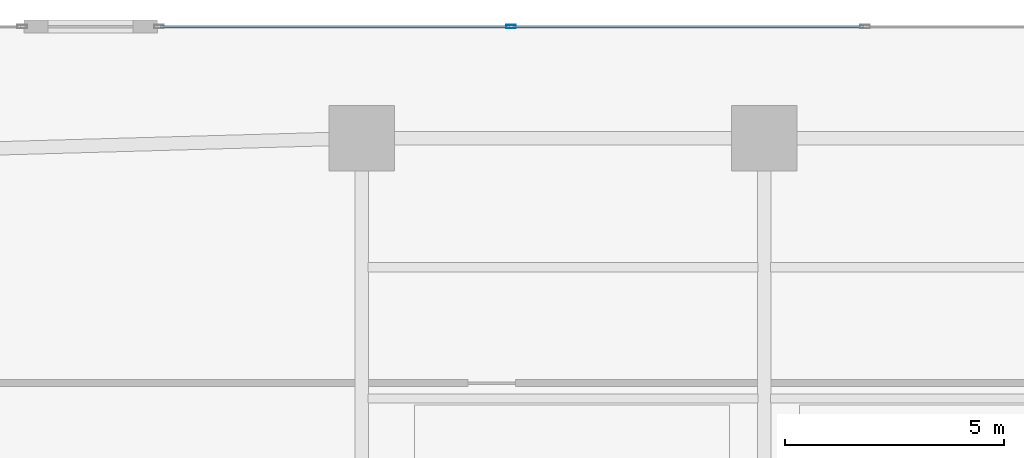
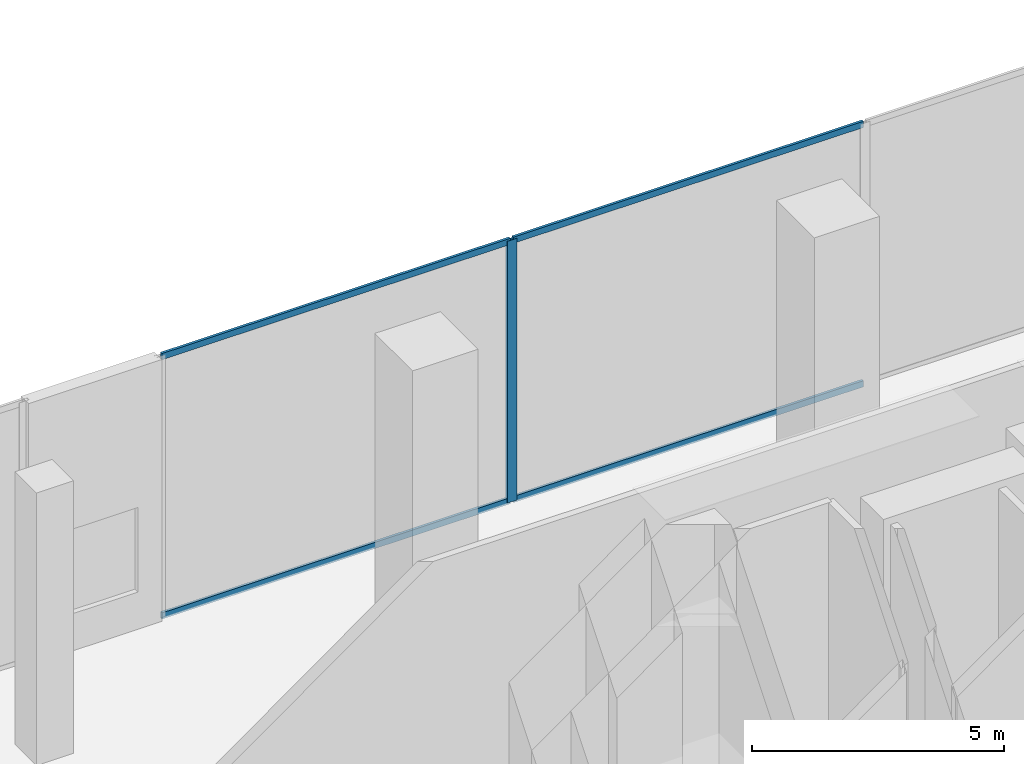
# One storey, part 15 of 30: 5 members, 1 element without a shape of its own.
"""IFC4 building model written with IfcOpenShell, lengths in metres."""

import ifcopenshell
import ifcopenshell.guid

model = None  # the IFC model being written
_history = None  # IfcOwnerHistory: only IFC2X3 demands one
_inside = {}  # id of a spatial element -> (the spatial element, [elements in it])
_under = {}  # id of a project, library or spatial element -> (it, [spatial elements below it])
_declared = {}  # id of a project -> (the project, [libraries it declares])
_typed = {}  # id of a type object -> (the type object, [elements of that type])
_made_of = {}  # id of a material, layer set ... -> (it, [elements and type objects made of it])


def new_model(schema):
    """Start an empty IFC model of exactly this schema.

    Asked for "IFC4X3", IfcOpenShell would pick the latest addendum, in which some entities
    have other attributes; the version numbers below select the first issue.
    IFC2X3 requires an IfcOwnerHistory on every rooted entity: one is made here for all.
    """
    global model, _history
    if schema == "IFC4X3":
        model = ifcopenshell.file(schema_version=(4, 3, 0, 0))
    else:
        model = ifcopenshell.file(schema=schema)
    _inside.clear()
    _under.clear()
    _declared.clear()
    _typed.clear()
    _made_of.clear()
    _history = None
    if model.schema == "IFC2X3":
        org = make("IfcOrganization", Name="unknown")
        user = make(
            "IfcPersonAndOrganization",
            ThePerson=make("IfcPerson", FamilyName="unknown"),
            TheOrganization=org,
        )
        app = make(
            "IfcApplication",
            ApplicationDeveloper=org,
            Version="unknown",
            ApplicationFullName="unknown",
            ApplicationIdentifier="unknown",
        )
        _history = make(
            "IfcOwnerHistory",
            OwningUser=user,
            OwningApplication=app,
            ChangeAction="ADDED",
            CreationDate=0,
        )
    return model


def make(cls, **values):
    """One entity of the class cls with the attributes given. An attribute that is None is left unset."""
    return model.create_entity(
        cls, **{name: value for name, value in values.items() if value is not None}
    )


def rooted(cls, **values):
    """An entity with a GlobalId (a new one), such as an element, a storey or a relation."""
    return make(cls, GlobalId=ifcopenshell.guid.new(), OwnerHistory=_history, **values)


def si_unit(unit_type, name, prefix=None):
    """IfcSIUnit, for example si_unit("LENGTHUNIT", "METRE", prefix="MILLI")."""
    return make("IfcSIUnit", UnitType=unit_type, Prefix=prefix, Name=name)


def assignment(units):
    """IfcUnitAssignment: the units of a project."""
    return None if units is None else make("IfcUnitAssignment", Units=units)


def point(xyz):
    """IfcCartesianPoint."""
    return None if xyz is None else make("IfcCartesianPoint", Coordinates=xyz)


def direction(xyz):
    """IfcDirection."""
    return None if xyz is None else make("IfcDirection", DirectionRatios=xyz)


def frame(location, z_axis=None, x_axis=None):
    """IfcAxis2Placement3D, a coordinate frame: its origin and axes. An axis left out is left unset."""
    return make(
        "IfcAxis2Placement3D",
        Location=point(location),
        Axis=direction(z_axis),
        RefDirection=direction(x_axis),
    )


def frame_2d(location, x_axis=None):
    """IfcAxis2Placement2D, a coordinate frame in the plane: its origin and x axis."""
    return make(
        "IfcAxis2Placement2D", Location=point(location), RefDirection=direction(x_axis)
    )


def origin():
    """The frame at (0, 0, 0) with its axes left unset."""
    return frame((0.0, 0.0, 0.0))


def origin_2d():
    """The frame at (0, 0) in the plane with its x axis left unset."""
    return frame_2d((0.0, 0.0))


def place(relative_to, where):
    """IfcLocalPlacement: puts the frame where relative to a parent placement (None: the world)."""
    return make(
        "IfcLocalPlacement", PlacementRelTo=relative_to, RelativePlacement=where
    )


def context(
    kind, dimensions, precision=None, world=None, true_north=None, identifier=None
):
    """IfcGeometricRepresentationContext, for example the 3D "Model" context."""
    return make(
        "IfcGeometricRepresentationContext",
        ContextIdentifier=identifier,
        ContextType=kind,
        CoordinateSpaceDimension=dimensions,
        Precision=precision,
        WorldCoordinateSystem=world,
        TrueNorth=true_north,
    )


def subcontext(parent, identifier, kind, view, scale=None):
    """IfcGeometricRepresentationSubContext, for example "Body" below "Model"."""
    return make(
        "IfcGeometricRepresentationSubContext",
        ContextIdentifier=identifier,
        ContextType=kind,
        ParentContext=parent,
        TargetScale=scale,
        TargetView=view,
    )


def project(units=None, contexts=None):
    """IfcProject with its units and contexts."""
    return rooted(
        "IfcProject",
        Name="project",
        RepresentationContexts=contexts,
        UnitsInContext=assignment(units),
    )


def spatial(cls, under=None, at=None, **own):
    """A site, building, storey or space (cls), placed at a placement, below another one or the project."""
    s = rooted(cls, ObjectPlacement=at, **own)
    if under is not None:
        _under.setdefault(under.id(), (under, []))[1].append(s)
    return s


def profile(cls, at=None, kind="AREA", **sizes):
    """A parametric profile (cls). Its sizes go by their IFC names, for example OverallWidth=200.0."""
    return make(cls, ProfileType=kind, Position=at, **sizes)


def hollow_rectangle(**sizes):
    """IfcRectangleHollowProfileDef."""
    return profile("IfcRectangleHollowProfileDef", **sizes)


def extrude(swept, where, along, depth):
    """IfcExtrudedAreaSolid: the profile swept, set in the frame where, extruded along a direction by depth."""
    return make(
        "IfcExtrudedAreaSolid",
        SweptArea=swept,
        Position=where,
        ExtrudedDirection=direction(along),
        Depth=depth,
    )


def shape(context_of_items, identifier, shape_type, items):
    """IfcShapeRepresentation: the items that make up one representation, for example the "Body"."""
    return make(
        "IfcShapeRepresentation",
        ContextOfItems=context_of_items,
        RepresentationIdentifier=identifier,
        RepresentationType=shape_type,
        Items=items,
    )


def material(Name=None, Category=None):
    """IfcMaterial."""
    return make("IfcMaterial", Name=Name, Category=Category)


def layer(
    of_material, thickness, ventilated=None, Name=None, Category=None, Priority=None
):
    """IfcMaterialLayer: one layer of a wall or slab, of a material (None: an air gap)."""
    return make(
        "IfcMaterialLayer",
        Material=of_material,
        LayerThickness=thickness,
        IsVentilated=ventilated,
        Name=Name,
        Category=Category,
        Priority=Priority,
    )


def layer_set(layers, Name=None):
    """IfcMaterialLayerSet."""
    return make("IfcMaterialLayerSet", MaterialLayers=layers, LayerSetName=Name)


def material_profile(
    of_material, cross_section, Name=None, Category=None, Priority=None
):
    """IfcMaterialProfile: a cross section and its material."""
    return make(
        "IfcMaterialProfile",
        Name=Name,
        Material=of_material,
        Profile=cross_section,
        Priority=Priority,
        Category=Category,
    )


def profile_set(profiles, Name=None, composite=None):
    """IfcMaterialProfileSet."""
    return make(
        "IfcMaterialProfileSet",
        Name=Name,
        MaterialProfiles=profiles,
        CompositeProfile=composite,
    )


def made_of(thing, what):
    """Note that an element or type object is made of a material, layer set ...; save() writes the relation."""
    if what is not None:
        _made_of.setdefault(what.id(), (what, []))[1].append(thing)
    return thing


def type_object(cls, material=None, **own):
    """A type object (cls), such as IfcWallType, which elements share."""
    return made_of(rooted(cls, **own), material)


def element(
    cls,
    number,
    at=None,
    inside=None,
    cuts=None,
    type_object=None,
    material=None,
    context=None,
    identifier="Body",
    shape_type=None,
    held_by="IfcProductDefinitionShape",
    body=None,
    shapes=None,
    **own,
):
    """One element of the class cls, such as IfcWall. Its Tag is "e" and its number.

    at: its placement. inside: the storey or other place that contains it. cuts: it is an
    opening in that element (IfcRelVoidsElement). A single representation is given by context,
    identifier, shape_type and body (its items); several are given by shapes. held_by: the class
    of the entity that holds the representations. save() writes the other relations.
    """
    e = rooted(cls, Tag="e%d" % number, ObjectPlacement=at, **own)
    if body is not None:
        shapes = [shape(context, identifier, shape_type, body)]
    if shapes is not None:
        e.Representation = make(held_by, Representations=shapes)
    if inside is not None:
        _inside.setdefault(inside.id(), (inside, []))[1].append(e)
    if cuts is not None:
        rooted(
            "IfcRelVoidsElement", RelatingBuildingElement=cuts, RelatedOpeningElement=e
        )
    if type_object is not None:
        _typed.setdefault(type_object.id(), (type_object, []))[1].append(e)
    return made_of(e, material)


def aggregate(whole, parts):
    """IfcRelAggregates: a whole, such as a stair, and the parts it consists of."""
    return rooted("IfcRelAggregates", RelatingObject=whole, RelatedObjects=parts)


def save(model, path):
    """Write the relations noted so far, then the file.

    IfcRelAggregates (storeys below a building ...), IfcRelContainedInSpatialStructure (elements
    in a storey), IfcRelDefinesByType, IfcRelAssociatesMaterial and IfcRelDeclares: one each for
    every whole, place, type object, material and project.
    """
    for whole, parts in _under.values():
        aggregate(whole, parts)
    for where, things in _inside.values():
        rooted(
            "IfcRelContainedInSpatialStructure",
            RelatedElements=things,
            RelatingStructure=where,
        )
    for kind, things in _typed.values():
        rooted("IfcRelDefinesByType", RelatedObjects=things, RelatingType=kind)
    for what, things in _made_of.values():
        rooted("IfcRelAssociatesMaterial", RelatedObjects=things, RelatingMaterial=what)
    for by, libraries in _declared.values():
        rooted("IfcRelDeclares", RelatingContext=by, RelatedDefinitions=libraries)
    model.write(path)


model = new_model("IFC4")

# Units and contexts
model_context = context("Model", 3, precision=1e-05, world=origin(), true_north=direction((0.0, 1.0)))
body_context = subcontext(model_context, "Body", "Model", "MODEL_VIEW")
ifc_project = project(units=[si_unit("LENGTHUNIT", "METRE"), si_unit("AREAUNIT", "SQUARE_METRE"), si_unit("VOLUMEUNIT", "CUBIC_METRE"), si_unit("PLANEANGLEUNIT", "RADIAN"), si_unit("MASSUNIT", "GRAM", prefix="KILO")], contexts=[model_context])

# Site, building, storey
site_placement = place(None, origin())
site = spatial("IfcSite", under=ifc_project, at=site_placement, CompositionType="ELEMENT")
building_placement = place(site_placement, origin())
building = spatial("IfcBuilding", under=site, at=building_placement, Name="Zuhayl Quay Hotel", CompositionType="ELEMENT")
storey_placement = place(building_placement, frame((0.0, 0.0, 11.39990234375)))
storey = spatial("IfcBuildingStorey", under=building, at=storey_placement, Name="L02", CompositionType="ELEMENT", Elevation=11.39990234375)

# Curtain wall, members
ifc_material_1 = material(Name="Anodised Aluminium 6063-T6", Category="aluminium")
ifc_layer = layer(ifc_material_1, 0.199951171875, Name="Anodised Aluminium 6063-T6", Category="aluminium")
ifc_layer_set = layer_set([ifc_layer], Name="Anodised Aluminium 6063-T6")
curtain_wall_type = type_object("IfcCurtainWallType", Name="CW_SYS_POD", PredefinedType="USERDEFINED", material=ifc_layer_set)
curtain_wall_placement = place(storey_placement, origin())
curtain_wall = element("IfcCurtainWall", 1, at=curtain_wall_placement, inside=storey, type_object=curtain_wall_type, Name="L02 Curtain Wall ENV_L02_E05_CW3", ObjectType="UNITISED CURTAIN WALL", PredefinedType="USERDEFINED")
ifc_material_2 = material(Name="Black-anodised aluminium 6063-T6", Category="aluminium")
ifc_material_profile_1 = material_profile(ifc_material_2, hollow_rectangle(XDim=0.074951171875, YDim=0.219970703125, WallThickness=0.00390625, at=origin_2d()), Name="ALU220X75")
ifc_profile_set_1 = profile_set([ifc_material_profile_1], Name="Black-anodised aluminium 6063-T6")
member_type_1 = type_object("IfcMemberType", Name="MB_CW_MUL_220", PredefinedType="MULLION", material=ifc_profile_set_1)
member_1_placement = place(storey_placement, frame((-10.38671875, 25.0, 0.0), z_axis=(0.0, 0.0, 1.0), x_axis=(0.0, 1.0, 0.0)))
member_1 = element("IfcMember", 2, at=member_1_placement, type_object=member_type_1, Name="CW-POD mullion 2", PredefinedType="MULLION", context=body_context, shape_type="SweptSolid", body=[
    extrude(hollow_rectangle(XDim=0.074951171875, YDim=0.219970703125, WallThickness=0.00390625, at=origin_2d()), origin(), (0.0, 0.0, 1.0), 6.340087890625),
])
ifc_material_profile_2 = material_profile(ifc_material_2, hollow_rectangle(XDim=0.06005859375, YDim=0.14990234375, WallThickness=0.00341796875, at=origin_2d()), Name="ALU150X60")
ifc_profile_set_2 = profile_set([ifc_material_profile_2], Name="Black-anodised aluminium 6063-T6")
member_type_2 = type_object("IfcMemberType", Name="MB_CW_TRN_150", PredefinedType="USERDEFINED", material=ifc_profile_set_2)
member_2_placement = place(storey_placement, frame((-18.39990234375, 25.0, 0.030029296875), z_axis=(1.0, 0.0, 0.0), x_axis=(0.0, 1.0, 0.0)))
member_2 = element("IfcMember", 3, at=member_2_placement, type_object=member_type_2, Name="CW-POD transom 1.1", ObjectType="TRANSOM", PredefinedType="USERDEFINED", context=body_context, shape_type="SweptSolid", body=[
    extrude(hollow_rectangle(XDim=0.06005859375, YDim=0.14990234375, WallThickness=0.00341796875, at=origin_2d()), origin(), (0.0, 0.0, 1.0), 7.975830078125),
])
member_3_placement = place(storey_placement, frame((-18.39990234375, 25.0, 6.31005859375), z_axis=(1.0, 0.0, 0.0), x_axis=(0.0, 1.0, 0.0)))
member_3 = element("IfcMember", 4, at=member_3_placement, type_object=member_type_2, Name="CW-POD transom 1.2", ObjectType="TRANSOM", PredefinedType="USERDEFINED", context=body_context, shape_type="SweptSolid", body=[
    extrude(hollow_rectangle(XDim=0.06005859375, YDim=0.14990234375, WallThickness=0.00341796875, at=origin_2d()), origin(), (0.0, 0.0, 1.0), 7.975830078125),
])
member_4_placement = place(storey_placement, frame((-10.34912109375, 25.0, 0.030029296875), z_axis=(1.0, 0.0, 0.0), x_axis=(0.0, 1.0, 0.0)))
member_4 = element("IfcMember", 5, at=member_4_placement, type_object=member_type_2, Name="CW-POD transom 2.1", ObjectType="TRANSOM", PredefinedType="USERDEFINED", context=body_context, shape_type="SweptSolid", body=[
    extrude(hollow_rectangle(XDim=0.06005859375, YDim=0.14990234375, WallThickness=0.00341796875, at=origin_2d()), origin(), (0.0, 0.0, 1.0), 8.01318359375),
])
member_5_placement = place(storey_placement, frame((-10.34912109375, 25.0, 6.31005859375), z_axis=(1.0, 0.0, 0.0), x_axis=(0.0, 1.0, 0.0)))
member_5 = element("IfcMember", 6, at=member_5_placement, type_object=member_type_2, Name="CW-POD transom 2.2", ObjectType="TRANSOM", PredefinedType="USERDEFINED", context=body_context, shape_type="SweptSolid", body=[
    extrude(hollow_rectangle(XDim=0.06005859375, YDim=0.14990234375, WallThickness=0.00341796875, at=origin_2d()), origin(), (0.0, 0.0, 1.0), 8.01318359375),
])
aggregate(curtain_wall, [member_1, member_2, member_3, member_4, member_5])

save(model, "model.ifc")
